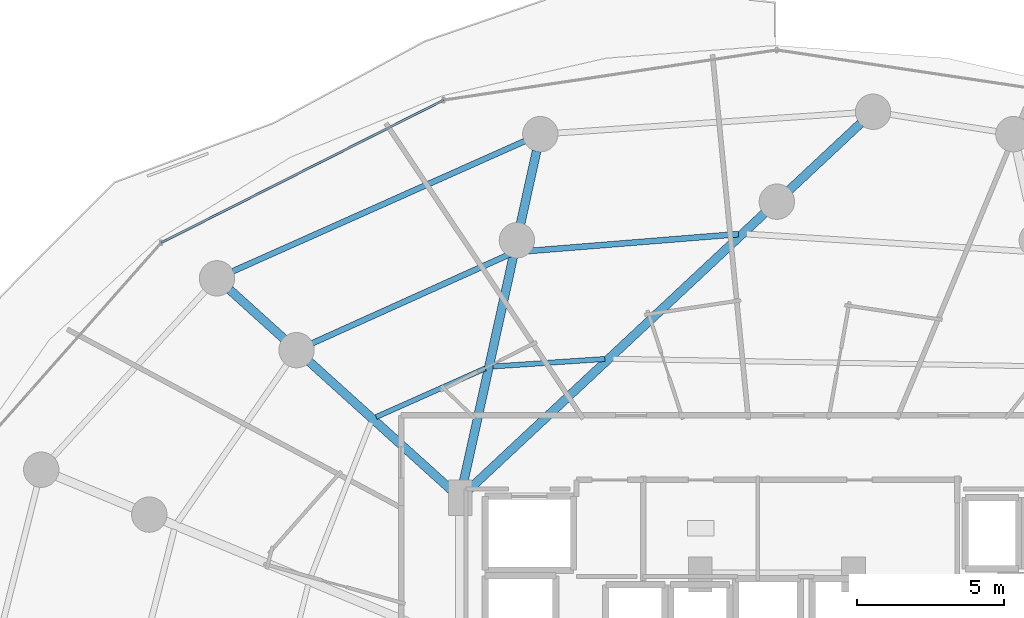
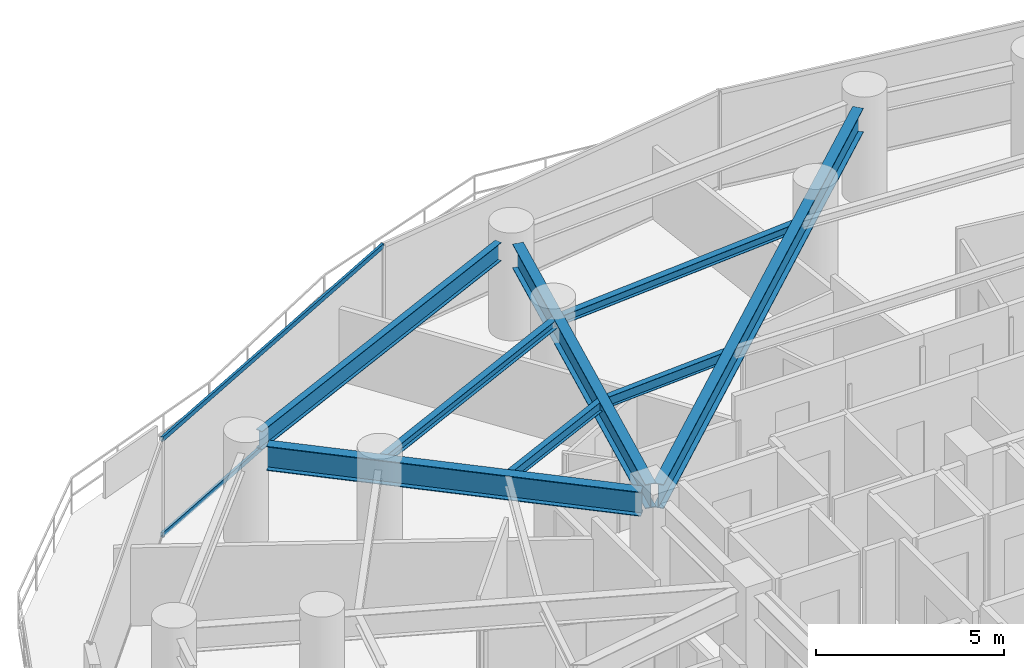
# One storey, part 20 of 34: 8 beams, 2 members, 1 element without a shape of its own.
"""IFC4 building model written with IfcOpenShell, lengths in metres."""

from ifc_helpers import new_model, si_unit, direction, frame, origin, origin_2d, place, context, subcontext, project, spatial, hollow_rectangle, i_section, extrude, material, material_profile, profile_set, type_object, element, aggregate, save


model = new_model("IFC4")

# Units and contexts
model_context = context("Model", 3, precision=1e-05, world=origin(), true_north=direction((0.0, 1.0)))
body_context = subcontext(model_context, "Body", "Model", "MODEL_VIEW")
ifc_project = project(units=[si_unit("LENGTHUNIT", "METRE"), si_unit("AREAUNIT", "SQUARE_METRE"), si_unit("VOLUMEUNIT", "CUBIC_METRE"), si_unit("PLANEANGLEUNIT", "RADIAN"), si_unit("MASSUNIT", "GRAM", prefix="KILO")], contexts=[model_context])

# Site, building, storey
site_placement = place(None, origin())
site = spatial("IfcSite", under=ifc_project, at=site_placement, CompositionType="ELEMENT")
building_placement = place(site_placement, origin())
building = spatial("IfcBuilding", under=site, at=building_placement, Name="Vorneva Point Tower", CompositionType="ELEMENT")
storey_placement = place(building_placement, frame((0.0, 0.0, 66.0)))
storey = spatial("IfcBuildingStorey", under=building, at=storey_placement, Name="L17", CompositionType="ELEMENT", Elevation=66.0)

# Beams
ifc_material_1 = material(Name="Steel S355", Category="steel")
ifc_material_profile_1 = material_profile(ifc_material_1, i_section(OverallWidth=0.300048828125, OverallDepth=0.7880859375, WebThickness=0.014404296875, FlangeThickness=0.02197265625, at=origin_2d()), Name="80Sh1")
ifc_profile_set_1 = profile_set([ifc_material_profile_1], Name="Steel S355")
beam_type_1 = type_object("IfcBeamType", Name="BM-GRD-80Sh1", PredefinedType="USERDEFINED", material=ifc_profile_set_1)
beam_1_placement = place(storey_placement, frame((40.835693359375, 45.850830078125, 2.756103515625), z_axis=(-0.730494745314, -0.682918316542, 0.0), x_axis=(0.682918316542, -0.730494745314, 0.0)))
element("IfcBeam", 1, at=beam_1_placement, inside=storey, type_object=beam_type_1, Name="L17 Radial Primary Girder 05", ObjectType="GIRDER", PredefinedType="USERDEFINED", context=body_context, shape_type="SweptSolid", body=[
    extrude(i_section(OverallWidth=0.300048828125, OverallDepth=0.7880859375, WebThickness=0.014404296875, FlangeThickness=0.02197265625, at=origin_2d()), origin(), (0.0, 0.0, 1.0), 18.258056640625),
])
beam_2_placement = place(storey_placement, frame((29.84716796875, 44.91748046875, 2.756103515625), z_axis=(-0.215521919097, -0.976499002759, 0.0), x_axis=(0.976499002759, -0.215521919097, 0.0)))
element("IfcBeam", 2, at=beam_2_placement, inside=storey, type_object=beam_type_1, Name="L17 Radial Primary Girder 06", ObjectType="GIRDER", PredefinedType="USERDEFINED", context=body_context, shape_type="SweptSolid", body=[
    extrude(i_section(OverallWidth=0.300048828125, OverallDepth=0.7880859375, WebThickness=0.014404296875, FlangeThickness=0.02197265625, at=origin_2d()), origin(), (0.0, 0.0, 1.0), 11.710693359375),
])
beam_3_placement = place(storey_placement, frame((19.43896484375, 40.205810546875, 2.756103515625), z_axis=(0.742076105577, -0.670315637243, 0.0), x_axis=(0.670315637243, 0.742076105577, 0.0)))
element("IfcBeam", 3, at=beam_3_placement, inside=storey, type_object=beam_type_1, Name="L17 Radial Primary Girder 07", ObjectType="GIRDER", PredefinedType="USERDEFINED", context=body_context, shape_type="SweptSolid", body=[
    extrude(i_section(OverallWidth=0.300048828125, OverallDepth=0.7880859375, WebThickness=0.014404296875, FlangeThickness=0.02197265625, at=origin_2d()), origin(), (0.0, 0.0, 1.0), 10.18603515625),
])
ifc_material_profile_2 = material_profile(ifc_material_1, i_section(OverallWidth=0.199951171875, OverallDepth=0.291015625, WebThickness=0.008056640625, FlangeThickness=0.010986328125, at=origin_2d()), Name="30Sh1")
ifc_profile_set_2 = profile_set([ifc_material_profile_2], Name="Steel S355")
beam_type_2 = type_object("IfcBeamType", Name="BM-SEC-30Sh1", PredefinedType="BEAM", material=ifc_profile_set_2)
beam_4_placement = place(storey_placement, frame((36.697021484375, 42.09912109375, 3.00439453125), z_axis=(-0.996775270956, -0.080243748729, 0.0), x_axis=(0.080243748729, -0.996775270956, 0.0)))
element("IfcBeam", 4, at=beam_4_placement, inside=storey, type_object=beam_type_2, Name="L17 Secondary Floor Beam 1.05", PredefinedType="BEAM", context=body_context, shape_type="SweptSolid", body=[
    extrude(i_section(OverallWidth=0.199951171875, OverallDepth=0.291015625, WebThickness=0.008056640625, FlangeThickness=0.010986328125, at=origin_2d()), origin(), (0.0, 0.0, 1.0), 7.49365234375),
])
beam_5_placement = place(storey_placement, frame((28.964111328125, 41.43017578125, 3.00439453125), z_axis=(-0.911598910005, -0.41108080383, 0.0), x_axis=(0.41108080383, -0.911598910005, 0.0)))
element("IfcBeam", 5, at=beam_5_placement, inside=storey, type_object=beam_type_2, Name="L17 Secondary Floor Beam 1.06", PredefinedType="BEAM", context=body_context, shape_type="SweptSolid", body=[
    extrude(i_section(OverallWidth=0.199951171875, OverallDepth=0.291015625, WebThickness=0.008056640625, FlangeThickness=0.010986328125, at=origin_2d()), origin(), (0.0, 0.0, 1.0), 7.823486328125),
])
ifc_material_profile_3 = material_profile(ifc_material_1, i_section(OverallWidth=0.174072265625, OverallDepth=0.345947265625, WebThickness=0.006103515625, FlangeThickness=0.009033203125, at=origin_2d()), Name="35B1")
ifc_profile_set_3 = profile_set([ifc_material_profile_3], Name="Steel S355")
beam_type_3 = type_object("IfcBeamType", Name="BM-SEC-35B1", PredefinedType="BEAM", material=ifc_profile_set_3)
beam_6_placement = place(storey_placement, frame((32.162109375, 37.86181640625, 2.97705078125), z_axis=(-0.997766360422, -0.06680037433, 0.0), x_axis=(0.06680037433, -0.997766360422, 0.0)))
element("IfcBeam", 6, at=beam_6_placement, inside=storey, type_object=beam_type_3, Name="L17 Secondary Floor Beam 2.05", PredefinedType="BEAM", context=body_context, shape_type="SweptSolid", body=[
    extrude(i_section(OverallWidth=0.174072265625, OverallDepth=0.345947265625, WebThickness=0.006103515625, FlangeThickness=0.009033203125, at=origin_2d()), origin(), (0.0, 0.0, 1.0), 3.801025390625),
])
beam_7_placement = place(storey_placement, frame((28.105712890625, 37.54248046875, 2.97705078125), z_axis=(-0.913393882838, -0.407076915083, 0.0), x_axis=(0.407076915083, -0.913393882838, 0.0)))
element("IfcBeam", 7, at=beam_7_placement, inside=storey, type_object=beam_type_3, Name="L17 Secondary Floor Beam 2.06", PredefinedType="BEAM", context=body_context, shape_type="SweptSolid", body=[
    extrude(i_section(OverallWidth=0.174072265625, OverallDepth=0.345947265625, WebThickness=0.006103515625, FlangeThickness=0.009033203125, at=origin_2d()), origin(), (0.0, 0.0, 1.0), 4.05419921875),
])
ifc_material_profile_4 = material_profile(ifc_material_1, i_section(OverallWidth=0.198974609375, OverallDepth=0.595947265625, WebThickness=0.010009765625, FlangeThickness=0.014892578125, at=origin_2d()), Name="60B1")
ifc_profile_set_4 = profile_set([ifc_material_profile_4], Name="Steel S355")
beam_type_4 = type_object("IfcBeamType", Name="BM-SPN-60B1", PredefinedType="SPANDREL", material=ifc_profile_set_4)
beam_8_placement = place(storey_placement, frame((29.439453125, 45.25341796875, 2.85205078125), z_axis=(-0.913318750016, -0.407245455309, 0.0), x_axis=(0.407245455309, -0.913318750016, 0.0)))
element("IfcBeam", 8, at=beam_8_placement, inside=storey, type_object=beam_type_4, Name="L17 Perimeter Spandrel Ring Beam 06", PredefinedType="SPANDREL", context=body_context, shape_type="SweptSolid", body=[
    extrude(i_section(OverallWidth=0.198974609375, OverallDepth=0.595947265625, WebThickness=0.010009765625, FlangeThickness=0.014892578125, at=origin_2d()), origin(), (0.0, 0.0, 1.0), 10.842529296875),
])

# Curtain wall, members
ifc_material_2 = material(Name="Pale anodised aluminium", Category="aluminium")
curtain_wall_type = type_object("IfcCurtainWallType", Name="CW-HTL-SYS", PredefinedType="NOTDEFINED", material=ifc_material_2)
curtain_wall_placement = place(storey_placement, origin())
curtain_wall = element("IfcCurtainWall", 9, at=curtain_wall_placement, inside=storey, type_object=curtain_wall_type, Name="L17 Unitised Curtain Wall CW-L17-R02", PredefinedType="NOTDEFINED")
ifc_material_profile_5 = material_profile(ifc_material_2, hollow_rectangle(XDim=0.074951171875, YDim=0.14990234375, WallThickness=0.00390625, at=origin_2d()), Name="AL-TRN 150x75x4")
ifc_profile_set_5 = profile_set([ifc_material_profile_5], Name="Pale anodised aluminium")
member_type = type_object("IfcMemberType", Name="CW-TRN-150", PredefinedType="USERDEFINED", material=ifc_profile_set_5)
member_1_placement = place(storey_placement, frame((26.691650390625, 46.648681640625, 0.02001953125), z_axis=(-0.892496057621, -0.451055192999, 0.0), x_axis=(0.451055192999, -0.892496057621, 0.0)))
member_1 = element("IfcMember", 10, at=member_1_placement, type_object=member_type, Name="CW-L17-R02 Transom 04.1", ObjectType="TRANSOM", PredefinedType="USERDEFINED", context=body_context, shape_type="SweptSolid", body=[
    extrude(hollow_rectangle(XDim=0.074951171875, YDim=0.14990234375, WallThickness=0.00390625, at=origin_2d()), origin(), (0.0, 0.0, 1.0), 10.741455078125),
])
member_2_placement = place(storey_placement, frame((26.691650390625, 46.648681640625, 3.1298828125), z_axis=(-0.892496057621, -0.451055192999, 0.0), x_axis=(0.451055192999, -0.892496057621, 0.0)))
member_2 = element("IfcMember", 11, at=member_2_placement, type_object=member_type, Name="CW-L17-R02 Transom 04.2", ObjectType="TRANSOM", PredefinedType="USERDEFINED", context=body_context, shape_type="SweptSolid", body=[
    extrude(hollow_rectangle(XDim=0.074951171875, YDim=0.14990234375, WallThickness=0.00390625, at=origin_2d()), origin(), (0.0, 0.0, 1.0), 10.741455078125),
])
aggregate(curtain_wall, [member_1, member_2])

save(model, "model.ifc")
